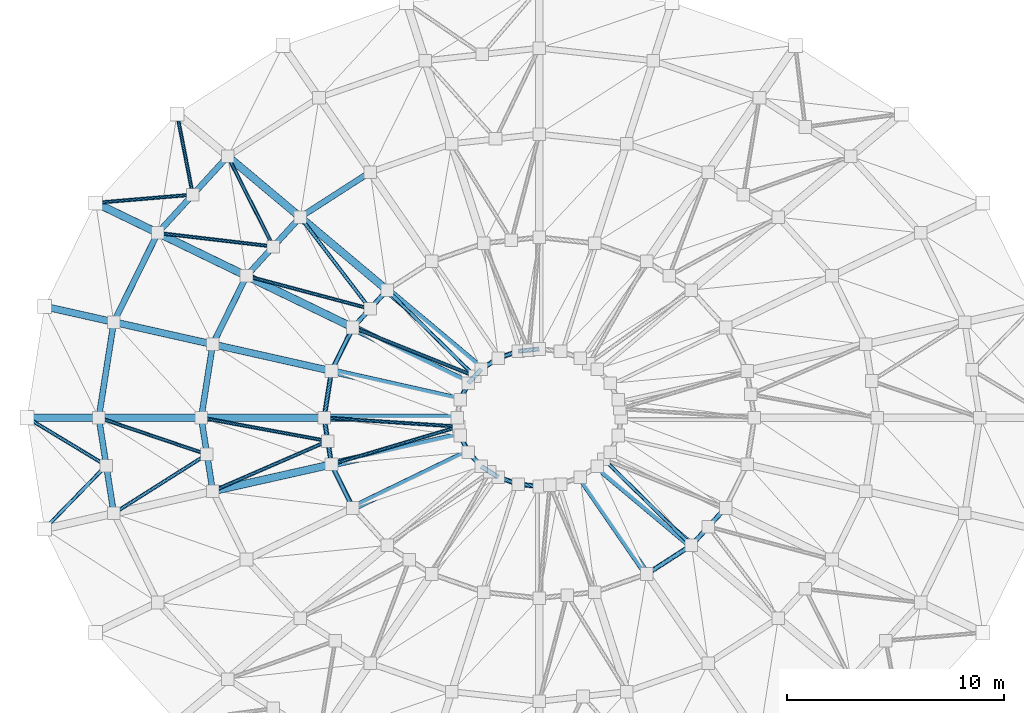
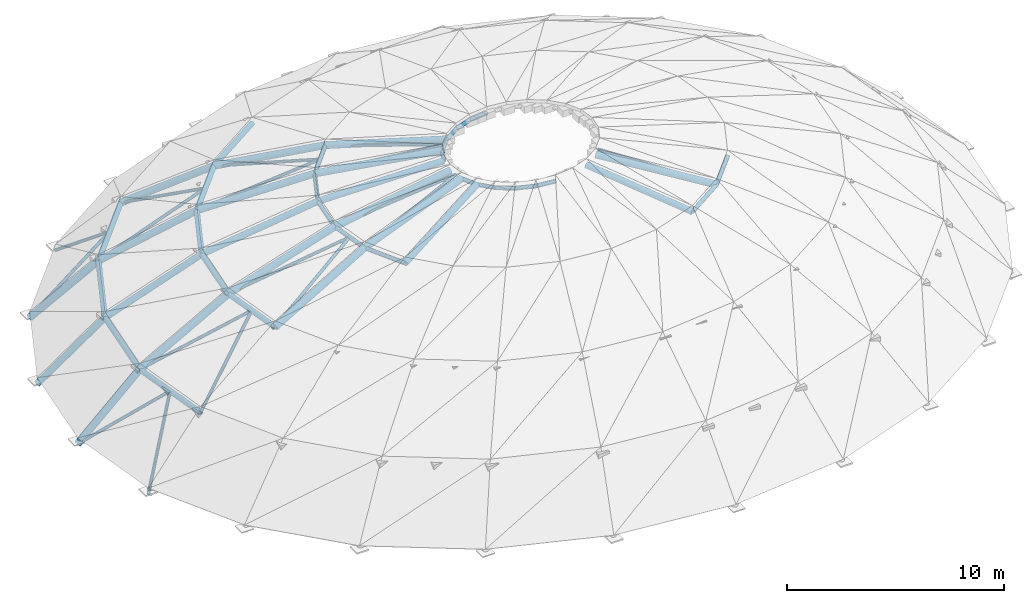
# One storey, part 2 of 11: 63 members.
"""IFC4 building model written with IfcOpenShell, lengths in metres."""

from ifc_helpers import new_model, si_unit, direction, frame, origin, origin_2d, place, context, subcontext, project, spatial, hollow_circle, extrude, material, material_profile, profile_set, type_object, element, save


model = new_model("IFC4")

# Units and contexts
model_context = context("Model", 3, precision=1e-05, world=origin(), true_north=direction((0.0, 1.0)))
body_context = subcontext(model_context, "Body", "Model", "MODEL_VIEW")
ifc_project = project(units=[si_unit("LENGTHUNIT", "METRE"), si_unit("AREAUNIT", "SQUARE_METRE"), si_unit("VOLUMEUNIT", "CUBIC_METRE"), si_unit("PLANEANGLEUNIT", "RADIAN"), si_unit("MASSUNIT", "GRAM", prefix="KILO")], contexts=[model_context])

# Site, building, storey
site_placement = place(None, origin())
site = spatial("IfcSite", under=ifc_project, at=site_placement, CompositionType="ELEMENT")
building_placement = place(site_placement, origin())
building = spatial("IfcBuilding", under=site, at=building_placement, Name="Parian Resonance Hall", CompositionType="ELEMENT")
storey_placement = place(building_placement, frame((0.0, 0.0, 27.60009765625)))
storey = spatial("IfcBuildingStorey", under=building, at=storey_placement, Name="ROOF", CompositionType="ELEMENT", Elevation=27.60009765625)

# Members
ifc_material_1 = material(Name="Hollow structural steel S355", Category="steel")
ifc_material_profile_1 = material_profile(ifc_material_1, hollow_circle(Radius=0.084228515625, WallThickness=0.008056640625, at=origin_2d()), Name="CHS168.3x8")
ifc_profile_set_1 = profile_set([ifc_material_profile_1], Name="Hollow structural steel S355")
member_type_1 = type_object("IfcMemberType", Name="MEM-CHS168", PredefinedType="BRACE", material=ifc_profile_set_1)
member_1_placement = place(storey_placement, frame((27.312255859375, 58.000732421875, -6.830078125), z_axis=(0.148865689703, -0.765975247523, 0.625396615446), x_axis=(0.98163313968, 0.190778350666, 0.0)))
element("IfcMember", 1, at=member_1_placement, inside=storey, type_object=member_type_1, Name="Dome sector K-brace 4.1A", PredefinedType="BRACE", context=body_context, shape_type="SweptSolid", body=[
    extrude(hollow_circle(Radius=0.084228515625, WallThickness=0.008056640625, at=origin_2d()), origin(), (0.0, 0.0, 1.0), 4.861083984375),
])
member_2_placement = place(storey_placement, frame((23.561767578125, 53.89990234375, -6.830078125), z_axis=(0.825123319631, 0.069608242505, 0.560648017901), x_axis=(-0.084062420526, 0.996460490664, 0.0)))
element("IfcMember", 2, at=member_2_placement, inside=storey, type_object=member_type_1, Name="Dome sector K-brace 4.1B", PredefinedType="BRACE", context=body_context, shape_type="SweptSolid", body=[
    extrude(hollow_circle(Radius=0.084228515625, WallThickness=0.008056640625, at=origin_2d()), origin(), (0.0, 0.0, 1.0), 5.42236328125),
])
member_3_placement = place(storey_placement, frame((29.648681640625, 56.04052734375, -3.7900390625), z_axis=(0.393862188213, -0.779114365799, 0.487702144451), x_axis=(0.89244600284, 0.451154221986, 0.0)))
element("IfcMember", 3, at=member_3_placement, inside=storey, type_object=member_type_1, Name="Dome sector K-brace 4.2A", PredefinedType="BRACE", context=body_context, shape_type="SweptSolid", body=[
    extrude(hollow_circle(Radius=0.084228515625, WallThickness=0.008056640625, at=origin_2d()), origin(), (0.0, 0.0, 1.0), 5.330810546875),
])
member_4_placement = place(storey_placement, frame((26.423095703125, 52.513916015625, -3.7900390625), z_axis=(0.893638751505, -0.10517012081, 0.436290072656), x_axis=(0.116880874378, 0.993145941544, 0.0)))
element("IfcMember", 4, at=member_4_placement, inside=storey, type_object=member_type_1, Name="Dome sector K-brace 4.2B", PredefinedType="BRACE", context=body_context, shape_type="SweptSolid", body=[
    extrude(hollow_circle(Radius=0.084228515625, WallThickness=0.008056640625, at=origin_2d()), origin(), (0.0, 0.0, 1.0), 5.958984375),
])
member_5_placement = place(storey_placement, frame((32.986083984375, 53.240478515625, -1.190185546875), z_axis=(0.574072177053, -0.753189317355, 0.321165047531), x_axis=(0.795322952575, 0.606185945983, 0.0)))
element("IfcMember", 5, at=member_5_placement, inside=storey, type_object=member_type_1, Name="Dome sector K-brace 4.3A", PredefinedType="BRACE", context=body_context, shape_type="SweptSolid", body=[
    extrude(hollow_circle(Radius=0.084228515625, WallThickness=0.008056640625, at=origin_2d()), origin(), (0.0, 0.0, 1.0), 5.604736328125),
])
member_6_placement = place(storey_placement, frame((30.5107421875, 50.533935546875, -1.190185546875), z_axis=(0.924188616424, -0.245929769488, 0.292222431979), x_axis=(0.257154463998, 0.966370312895, 0.0)))
element("IfcMember", 6, at=member_6_placement, inside=storey, type_object=member_type_1, Name="Dome sector K-brace 4.3B", PredefinedType="BRACE", context=body_context, shape_type="SweptSolid", body=[
    extrude(hollow_circle(Radius=0.084228515625, WallThickness=0.008056640625, at=origin_2d()), origin(), (0.0, 0.0, 1.0), 6.159912109375),
])
member_7_placement = place(storey_placement, frame((36.9912109375, 49.88037109375, 0.60986328125), z_axis=(0.702203558408, -0.689978033996, 0.175614564208), x_axis=(0.700870257906, 0.713288778534, 0.0)))
element("IfcMember", 7, at=member_7_placement, inside=storey, type_object=member_type_1, Name="Dome sector K-brace 4.4A", PredefinedType="BRACE", context=body_context, shape_type="SweptSolid", body=[
    extrude(hollow_circle(Radius=0.084228515625, WallThickness=0.008056640625, at=origin_2d()), origin(), (0.0, 0.0, 1.0), 5.751220703125),
])
member_8_placement = place(storey_placement, frame((35.416015625, 48.157958984375, 0.60986328125), z_axis=(0.915768326015, -0.366363087371, 0.164761831988), x_axis=(0.371439408198, 0.928457196664, 0.0)))
element("IfcMember", 8, at=member_8_placement, inside=storey, type_object=member_type_1, Name="Dome sector K-brace 4.4B", PredefinedType="BRACE", context=body_context, shape_type="SweptSolid", body=[
    extrude(hollow_circle(Radius=0.084228515625, WallThickness=0.008056640625, at=origin_2d()), origin(), (0.0, 0.0, 1.0), 6.130126953125),
])
member_9_placement = place(storey_placement, frame((20.39990234375, 44.0, -6.830078125), z_axis=(0.69702955498, -0.420828679816, 0.58056267683), x_axis=(0.516851679642, 0.856074962402, 0.0)))
element("IfcMember", 9, at=member_9_placement, inside=storey, type_object=member_type_1, Name="Dome sector K-brace 5.1A", PredefinedType="BRACE", context=body_context, shape_type="SweptSolid", body=[
    extrude(hollow_circle(Radius=0.084228515625, WallThickness=0.008056640625, at=origin_2d()), origin(), (0.0, 0.0, 1.0), 5.236328125),
])
member_10_placement = place(storey_placement, frame((21.2041015625, 38.87548828125, -6.830078125), z_axis=(0.559472429947, 0.574256018521, 0.597679366652), x_axis=(-0.716266416859, 0.697826927024, 0.0)))
element("IfcMember", 10, at=member_10_placement, inside=storey, type_object=member_type_1, Name="Dome sector K-brace 5.1B", PredefinedType="BRACE", context=body_context, shape_type="SweptSolid", body=[
    extrude(hollow_circle(Radius=0.084228515625, WallThickness=0.008056640625, at=origin_2d()), origin(), (0.0, 0.0, 1.0), 5.08642578125),
])
member_11_placement = place(storey_placement, frame((23.7041015625, 44.0, -3.7900390625), z_axis=(0.849083358563, -0.28804546867, 0.442817409537), x_axis=(0.321259953019, 0.94699104673, 0.0)))
element("IfcMember", 11, at=member_11_placement, inside=storey, type_object=member_type_1, Name="Dome sector K-brace 5.2A", PredefinedType="BRACE", context=body_context, shape_type="SweptSolid", body=[
    extrude(hollow_circle(Radius=0.084228515625, WallThickness=0.008056640625, at=origin_2d()), origin(), (0.0, 0.0, 1.0), 5.87109375),
])
member_12_placement = place(storey_placement, frame((24.3955078125, 39.5927734375, -3.7900390625), z_axis=(0.752330799086, 0.475901526118, 0.45553935745), x_axis=(-0.534591285861, 0.845110736579, 0.0)))
element("IfcMember", 12, at=member_12_placement, inside=storey, type_object=member_type_1, Name="Dome sector K-brace 5.2B", PredefinedType="BRACE", context=body_context, shape_type="SweptSolid", body=[
    extrude(hollow_circle(Radius=0.084228515625, WallThickness=0.008056640625, at=origin_2d()), origin(), (0.0, 0.0, 1.0), 5.707275390625),
])
member_13_placement = place(storey_placement, frame((28.424072265625, 44.0, -1.190185546875), z_axis=(0.941019856322, -0.173622515871, 0.290408078384), x_axis=(0.18144214738, 0.983401620476, 0.0)))
element("IfcMember", 13, at=member_13_placement, inside=storey, type_object=member_type_1, Name="Dome sector K-brace 5.3A", PredefinedType="BRACE", context=body_context, shape_type="SweptSolid", body=[
    extrude(hollow_circle(Radius=0.084228515625, WallThickness=0.008056640625, at=origin_2d()), origin(), (0.0, 0.0, 1.0), 6.1982421875),
])
member_14_placement = place(storey_placement, frame((28.95458984375, 40.617919921875, -1.190185546875), z_axis=(0.875582973539, 0.3807846572, 0.297249897039), x_axis=(-0.398811028745, 0.917033131, 0.0)))
element("IfcMember", 14, at=member_14_placement, inside=storey, type_object=member_type_1, Name="Dome sector K-brace 5.3B", PredefinedType="BRACE", context=body_context, shape_type="SweptSolid", body=[
    extrude(hollow_circle(Radius=0.084228515625, WallThickness=0.008056640625, at=origin_2d()), origin(), (0.0, 0.0, 1.0), 6.0556640625),
])
member_15_placement = place(storey_placement, frame((34.087890625, 44.0, 0.60986328125), z_axis=(0.984896799175, -0.065111695311, 0.160433045564), x_axis=(0.065966173276, 0.997821859844, 0.0)))
element("IfcMember", 15, at=member_15_placement, inside=storey, type_object=member_type_1, Name="Dome sector K-brace 5.4A", PredefinedType="BRACE", context=body_context, shape_type="SweptSolid", body=[
    extrude(hollow_circle(Radius=0.084228515625, WallThickness=0.008056640625, at=origin_2d()), origin(), (0.0, 0.0, 1.0), 6.29541015625),
])
member_16_placement = place(storey_placement, frame((34.42578125, 41.84765625, 0.60986328125), z_axis=(0.945748733242, 0.281089772588, 0.162935181336), x_axis=(-0.284896914022, 0.958558161188, 0.0)))
element("IfcMember", 16, at=member_16_placement, inside=storey, type_object=member_type_1, Name="Dome sector K-brace 5.4B", PredefinedType="BRACE", context=body_context, shape_type="SweptSolid", body=[
    extrude(hollow_circle(Radius=0.084228515625, WallThickness=0.008056640625, at=origin_2d()), origin(), (0.0, 0.0, 1.0), 6.19873046875),
])
member_17_placement = place(storey_placement, frame((51.0087890625, 38.11962890625, 0.60986328125), z_axis=(-0.702203558408, 0.689978033996, 0.175614564208), x_axis=(-0.700870257906, -0.713288778534, 0.0)))
element("IfcMember", 17, at=member_17_placement, inside=storey, type_object=member_type_1, Name="Dome sector K-brace 8.4A", PredefinedType="BRACE", context=body_context, shape_type="SweptSolid", body=[
    extrude(hollow_circle(Radius=0.084228515625, WallThickness=0.008056640625, at=origin_2d()), origin(), (0.0, 0.0, 1.0), 5.751220703125),
])
ifc_material_2 = material(Name="Hollow structural steel S355", Category="steel")
ifc_material_profile_2 = material_profile(ifc_material_2, hollow_circle(Radius=0.109619140625, WallThickness=0.010009765625, at=origin_2d()), Name="CHS219.1x10")
ifc_profile_set_2 = profile_set([ifc_material_profile_2], Name="Hollow structural steel S355")
member_type_2 = type_object("IfcMemberType", Name="MEM-CHS219", PredefinedType="CHORD", material=ifc_profile_set_2)
member_18_placement = place(storey_placement, frame((36.9912109375, 49.88037109375, 0.60986328125), z_axis=(-0.674866861926, -0.737939508817, 0.0), x_axis=(0.737939508817, -0.674866861926, 0.0)))
element("IfcMember", 18, at=member_18_placement, inside=storey, type_object=member_type_2, Name="Dome tubular hoop ring J3-10", PredefinedType="CHORD", context=body_context, shape_type="SweptSolid", body=[
    extrude(hollow_circle(Radius=0.109619140625, WallThickness=0.010009765625, at=origin_2d()), origin(), (0.0, 0.0, 1.0), 2.333984375),
])
member_19_placement = place(storey_placement, frame((35.416015625, 48.157958984375, 0.60986328125), z_axis=(-0.442710977497, -0.896664368871, 0.0), x_axis=(0.896664368871, -0.442710977497, 0.0)))
element("IfcMember", 19, at=member_19_placement, inside=storey, type_object=member_type_2, Name="Dome tubular hoop ring J3-11", PredefinedType="CHORD", context=body_context, shape_type="SweptSolid", body=[
    extrude(hollow_circle(Radius=0.109619140625, WallThickness=0.010009765625, at=origin_2d()), origin(), (0.0, 0.0, 1.0), 2.23681640625),
])
for number, where, z_axis, x_axis, name in (
    (20, (34.42578125, 46.15234375, 0.60986328125), (-0.155087856552, -0.987900681622, 0.0), (0.987900681622, -0.155087856552, 0.0), "Dome tubular hoop ring J3-12"),
    (21, (34.087890625, 44.0, 0.60986328125), (0.155087856552, -0.987900681622, 0.0), (0.987900681622, 0.155087856552, 0.0), "Dome tubular hoop ring J3-13"),
):
    element("IfcMember", number, at=place(storey_placement, frame(where, z_axis=z_axis, x_axis=x_axis)), inside=storey, type_object=member_type_2, Name=name, PredefinedType="CHORD", context=body_context, shape_type="SweptSolid", body=[
        extrude(hollow_circle(Radius=0.109619140625, WallThickness=0.010009765625, at=origin_2d()), origin(), (0.0, 0.0, 1.0), 2.1787109375),
    ])
member_20_placement = place(storey_placement, frame((34.42578125, 41.84765625, 0.60986328125), z_axis=(0.442710977497, -0.896664368871, 0.0), x_axis=(0.896664368871, 0.442710977497, 0.0)))
element("IfcMember", 22, at=member_20_placement, inside=storey, type_object=member_type_2, Name="Dome tubular hoop ring J3-14", PredefinedType="CHORD", context=body_context, shape_type="SweptSolid", body=[
    extrude(hollow_circle(Radius=0.109619140625, WallThickness=0.010009765625, at=origin_2d()), origin(), (0.0, 0.0, 1.0), 2.23681640625),
])
member_21_placement = place(storey_placement, frame((48.9560546875, 36.798095703125, 0.60986328125), z_axis=(0.840820882046, 0.541313443686, 0.0), x_axis=(-0.541313443686, 0.840820882046, 0.0)))
element("IfcMember", 23, at=member_21_placement, inside=storey, type_object=member_type_2, Name="Dome tubular hoop ring J3-21", PredefinedType="CHORD", context=body_context, shape_type="SweptSolid", body=[
    extrude(hollow_circle(Radius=0.109619140625, WallThickness=0.010009765625, at=origin_2d()), origin(), (0.0, 0.0, 1.0), 2.44140625),
])
member_22_placement = place(storey_placement, frame((51.0087890625, 38.11962890625, 0.60986328125), z_axis=(0.674866861926, 0.737939508817, 0.0), x_axis=(-0.737939508817, 0.674866861926, 0.0)))
element("IfcMember", 24, at=member_22_placement, inside=storey, type_object=member_type_2, Name="Dome tubular hoop ring J3-22", PredefinedType="CHORD", context=body_context, shape_type="SweptSolid", body=[
    extrude(hollow_circle(Radius=0.109619140625, WallThickness=0.010009765625, at=origin_2d()), origin(), (0.0, 0.0, 1.0), 2.333984375),
])
member_23_placement = place(storey_placement, frame((44.0, 47.16796875, 1.619873046875), z_axis=(-0.993959203455, -0.109750179347, 0.0), x_axis=(0.109750179347, -0.993959203455, 0.0)))
element("IfcMember", 25, at=member_23_placement, inside=storey, type_object=member_type_2, Name="Dome tubular hoop ring J4-07", PredefinedType="CHORD", context=body_context, shape_type="SweptSolid", body=[
    extrude(hollow_circle(Radius=0.109619140625, WallThickness=0.010009765625, at=origin_2d()), origin(), (0.0, 0.0, 1.0), 0.983154296875),
])
member_24_placement = place(storey_placement, frame((43.022705078125, 47.06005859375, 1.619873046875), z_axis=(-0.944606071341, -0.328206291812, 0.0), x_axis=(0.328206291812, -0.944606071341, 0.0)))
element("IfcMember", 26, at=member_24_placement, inside=storey, type_object=member_type_2, Name="Dome tubular hoop ring J4-08", PredefinedType="CHORD", context=body_context, shape_type="SweptSolid", body=[
    extrude(hollow_circle(Radius=0.109619140625, WallThickness=0.010009765625, at=origin_2d()), origin(), (0.0, 0.0, 1.0), 0.964111328125),
])
member_25_placement = place(storey_placement, frame((42.112060546875, 46.74365234375, 1.619873046875), z_axis=(-0.840709114229, -0.541487013005, 0.0), x_axis=(0.541487013005, -0.840709114229, 0.0)))
element("IfcMember", 27, at=member_25_placement, inside=storey, type_object=member_type_2, Name="Dome tubular hoop ring J4-09", PredefinedType="CHORD", context=body_context, shape_type="SweptSolid", body=[
    extrude(hollow_circle(Radius=0.109619140625, WallThickness=0.010009765625, at=origin_2d()), origin(), (0.0, 0.0, 1.0), 0.93017578125),
])
member_26_placement = place(storey_placement, frame((41.330078125, 46.239990234375, 1.619873046875), z_axis=(-0.674965754228, -0.737849056799, 0.0), x_axis=(0.737849056799, -0.674965754228, 0.0)))
element("IfcMember", 28, at=member_26_placement, inside=storey, type_object=member_type_2, Name="Dome tubular hoop ring J4-10", PredefinedType="CHORD", context=body_context, shape_type="SweptSolid", body=[
    extrude(hollow_circle(Radius=0.109619140625, WallThickness=0.010009765625, at=origin_2d()), origin(), (0.0, 0.0, 1.0), 0.88916015625),
])
for number, where, z_axis, x_axis, name in (
    (29, (40.72998046875, 45.583984375, 1.619873046875), (-0.442623915092, -0.896707349021, 0.0), (0.896707349021, -0.442623915092, 0.0), "Dome tubular hoop ring J4-11"),
    (30, (40.352783203125, 43.18017578125, 1.619873046875), (0.442623915092, -0.896707349021, 0.0), (0.896707349021, 0.442623915092, 0.0), "Dome tubular hoop ring J4-14"),
):
    element("IfcMember", number, at=place(storey_placement, frame(where, z_axis=z_axis, x_axis=x_axis)), inside=storey, type_object=member_type_2, Name=name, PredefinedType="CHORD", context=body_context, shape_type="SweptSolid", body=[
        extrude(hollow_circle(Radius=0.109619140625, WallThickness=0.010009765625, at=origin_2d()), origin(), (0.0, 0.0, 1.0), 0.852294921875),
    ])
member_27_placement = place(storey_placement, frame((40.72998046875, 42.416015625, 1.619873046875), z_axis=(0.674965754228, -0.737849056799, 0.0), x_axis=(0.737849056799, 0.674965754228, 0.0)))
element("IfcMember", 31, at=member_27_placement, inside=storey, type_object=member_type_2, Name="Dome tubular hoop ring J4-15", PredefinedType="CHORD", context=body_context, shape_type="SweptSolid", body=[
    extrude(hollow_circle(Radius=0.109619140625, WallThickness=0.010009765625, at=origin_2d()), origin(), (0.0, 0.0, 1.0), 0.88916015625),
])
member_28_placement = place(storey_placement, frame((41.330078125, 41.760009765625, 1.619873046875), z_axis=(0.840709114229, -0.541487013005, 0.0), x_axis=(0.541487013005, 0.840709114229, 0.0)))
element("IfcMember", 32, at=member_28_placement, inside=storey, type_object=member_type_2, Name="Dome tubular hoop ring J4-16", PredefinedType="CHORD", context=body_context, shape_type="SweptSolid", body=[
    extrude(hollow_circle(Radius=0.109619140625, WallThickness=0.010009765625, at=origin_2d()), origin(), (0.0, 0.0, 1.0), 0.93017578125),
])
member_29_placement = place(storey_placement, frame((42.112060546875, 41.25634765625, 1.619873046875), z_axis=(0.944606071341, -0.328206291812, 0.0), x_axis=(0.328206291812, 0.944606071341, 0.0)))
element("IfcMember", 33, at=member_29_placement, inside=storey, type_object=member_type_2, Name="Dome tubular hoop ring J4-17", PredefinedType="CHORD", context=body_context, shape_type="SweptSolid", body=[
    extrude(hollow_circle(Radius=0.109619140625, WallThickness=0.010009765625, at=origin_2d()), origin(), (0.0, 0.0, 1.0), 0.964111328125),
])
member_30_placement = place(storey_placement, frame((43.022705078125, 40.93994140625, 1.619873046875), z_axis=(0.993959203455, -0.109750179347, 0.0), x_axis=(0.109750179347, 0.993959203455, 0.0)))
element("IfcMember", 34, at=member_30_placement, inside=storey, type_object=member_type_2, Name="Dome tubular hoop ring J4-18", PredefinedType="CHORD", context=body_context, shape_type="SweptSolid", body=[
    extrude(hollow_circle(Radius=0.109619140625, WallThickness=0.010009765625, at=origin_2d()), origin(), (0.0, 0.0, 1.0), 0.983154296875),
])
ifc_material_3 = material(Name="Hollow structural steel S355", Category="steel")
ifc_material_profile_3 = material_profile(ifc_material_3, hollow_circle(Radius=0.136474609375, WallThickness=0.012451171875, at=origin_2d()), Name="CHS273x12.5")
ifc_profile_set_3 = profile_set([ifc_material_profile_3], Name="Hollow structural steel S355")
member_type_3 = type_object("IfcMemberType", Name="MEM-CHS273", PredefinedType="CHORD", material=ifc_profile_set_3)
member_31_placement = place(storey_placement, frame((29.648681640625, 56.04052734375, -3.7900390625), z_axis=(-0.674912283642, -0.737897966788, 0.0), x_axis=(0.737897966788, -0.674912283642, 0.0)))
element("IfcMember", 35, at=member_31_placement, inside=storey, type_object=member_type_3, Name="Dome tubular hoop ring J1-10", PredefinedType="CHORD", context=body_context, shape_type="SweptSolid", body=[
    extrude(hollow_circle(Radius=0.136474609375, WallThickness=0.012451171875, at=origin_2d()), origin(), (0.0, 0.0, 1.0), 4.779296875),
])
member_32_placement = place(storey_placement, frame((26.423095703125, 52.513916015625, -3.7900390625), z_axis=(-0.442708885431, -0.896665401786, 0.0), x_axis=(0.896665401786, -0.442708885431, 0.0)))
element("IfcMember", 36, at=member_32_placement, inside=storey, type_object=member_type_3, Name="Dome tubular hoop ring J1-11", PredefinedType="CHORD", context=body_context, shape_type="SweptSolid", body=[
    extrude(hollow_circle(Radius=0.136474609375, WallThickness=0.012451171875, at=origin_2d()), origin(), (0.0, 0.0, 1.0), 4.580078125),
])
for number, where, z_axis, x_axis, name in (
    (37, (24.3955078125, 48.4072265625, -3.7900390625), (-0.154984525505, -0.987916897747, 0.0), (0.987916897747, -0.154984525505, 0.0), "Dome tubular hoop ring J1-12"),
    (38, (23.7041015625, 44.0, -3.7900390625), (0.154984525505, -0.987916897747, 0.0), (0.987916897747, 0.154984525505, 0.0), "Dome tubular hoop ring J1-13"),
):
    element("IfcMember", number, at=place(storey_placement, frame(where, z_axis=z_axis, x_axis=x_axis)), inside=storey, type_object=member_type_3, Name=name, PredefinedType="CHORD", context=body_context, shape_type="SweptSolid", body=[
        extrude(hollow_circle(Radius=0.136474609375, WallThickness=0.012451171875, at=origin_2d()), origin(), (0.0, 0.0, 1.0), 4.461181640625),
    ])
member_33_placement = place(storey_placement, frame((36.2119140625, 55.317138671875, -1.190185546875), z_axis=(-0.840833011085, -0.541294603216, 0.0), x_axis=(0.541294603216, -0.840833011085, 0.0)))
element("IfcMember", 39, at=member_33_placement, inside=storey, type_object=member_type_3, Name="Dome tubular hoop ring J2-09", PredefinedType="CHORD", context=body_context, shape_type="SweptSolid", body=[
    extrude(hollow_circle(Radius=0.136474609375, WallThickness=0.012451171875, at=origin_2d()), origin(), (0.0, 0.0, 1.0), 3.83642578125),
])
member_34_placement = place(storey_placement, frame((32.986083984375, 53.240478515625, -1.190185546875), z_axis=(-0.674886246736, -0.737921780385, 0.0), x_axis=(0.737921780385, -0.674886246736, 0.0)))
element("IfcMember", 40, at=member_34_placement, inside=storey, type_object=member_type_3, Name="Dome tubular hoop ring J2-10", PredefinedType="CHORD", context=body_context, shape_type="SweptSolid", body=[
    extrude(hollow_circle(Radius=0.136474609375, WallThickness=0.012451171875, at=origin_2d()), origin(), (0.0, 0.0, 1.0), 3.667724609375),
])
member_35_placement = place(storey_placement, frame((30.5107421875, 50.533935546875, -1.190185546875), z_axis=(-0.442707238803, -0.896666214771, 0.0), x_axis=(0.896666214771, -0.442707238803, 0.0)))
element("IfcMember", 41, at=member_35_placement, inside=storey, type_object=member_type_3, Name="Dome tubular hoop ring J2-11", PredefinedType="CHORD", context=body_context, shape_type="SweptSolid", body=[
    extrude(hollow_circle(Radius=0.136474609375, WallThickness=0.012451171875, at=origin_2d()), origin(), (0.0, 0.0, 1.0), 3.51513671875),
])
for number, where, z_axis, x_axis, name in (
    (42, (28.95458984375, 47.382080078125, -1.190185546875), (-0.154966404102, -0.987919740465, 0.0), (0.987919740465, -0.154966404102, 0.0), "Dome tubular hoop ring J2-12"),
    (43, (28.424072265625, 44.0, -1.190185546875), (0.154966404102, -0.987919740465, 0.0), (0.987919740465, 0.154966404102, 0.0), "Dome tubular hoop ring J2-13"),
):
    element("IfcMember", number, at=place(storey_placement, frame(where, z_axis=z_axis, x_axis=x_axis)), inside=storey, type_object=member_type_3, Name=name, PredefinedType="CHORD", context=body_context, shape_type="SweptSolid", body=[
        extrude(hollow_circle(Radius=0.136474609375, WallThickness=0.012451171875, at=origin_2d()), origin(), (0.0, 0.0, 1.0), 3.42333984375),
    ])
ifc_material_4 = material(Name="Hollow structural steel S355", Category="steel")
ifc_material_profile_4 = material_profile(ifc_material_4, hollow_circle(Radius=0.161865234375, WallThickness=0.01416015625, at=origin_2d()), Name="CHS323.9x14.2")
ifc_profile_set_4 = profile_set([ifc_material_profile_4], Name="Hollow structural steel S355")
member_type_4 = type_object("IfcMemberType", Name="MEM-CHS323", PredefinedType="CHORD", material=ifc_profile_set_4)
member_36_placement = place(storey_placement, frame((21.2041015625, 49.12451171875, -6.830078125), z_axis=(0.714667720848, -0.160625287932, 0.68077130202), x_axis=(0.219284857934, 0.975660879138, 0.0)))
element("IfcMember", 44, at=member_36_placement, inside=storey, type_object=member_type_4, Name="Dome meridional arch rib 12.1", PredefinedType="CHORD", context=body_context, shape_type="SweptSolid", body=[
    extrude(hollow_circle(Radius=0.161865234375, WallThickness=0.01416015625, at=origin_2d()), origin(), (0.0, 0.0, 1.0), 4.465576171875),
])
member_37_placement = place(storey_placement, frame((24.3955078125, 48.4072265625, -3.7900390625), z_axis=(0.852568680969, -0.191706966445, 0.486184207114), x_axis=(0.219380412933, 0.975639397739, 0.0)))
element("IfcMember", 45, at=member_37_placement, inside=storey, type_object=member_type_4, Name="Dome meridional arch rib 12.2", PredefinedType="CHORD", context=body_context, shape_type="SweptSolid", body=[
    extrude(hollow_circle(Radius=0.161865234375, WallThickness=0.01416015625, at=origin_2d()), origin(), (0.0, 0.0, 1.0), 5.347412109375),
])
member_38_placement = place(storey_placement, frame((28.95458984375, 47.382080078125, -1.190185546875), z_axis=(0.928971795399, -0.208801023357, 0.305636280566), x_axis=(0.219294635385, 0.975658681554, 0.0)))
element("IfcMember", 46, at=member_38_placement, inside=storey, type_object=member_type_4, Name="Dome meridional arch rib 12.3", PredefinedType="CHORD", context=body_context, shape_type="SweptSolid", body=[
    extrude(hollow_circle(Radius=0.161865234375, WallThickness=0.01416015625, at=origin_2d()), origin(), (0.0, 0.0, 1.0), 5.889404296875),
])
member_39_placement = place(storey_placement, frame((34.42578125, 46.15234375, 0.60986328125), z_axis=(0.962435904881, -0.216376618562, 0.164006975264), x_axis=(0.219346753665, 0.975646965688, 0.0)))
element("IfcMember", 47, at=member_39_placement, inside=storey, type_object=member_type_4, Name="Dome meridional arch rib 12.4", PredefinedType="CHORD", context=body_context, shape_type="SweptSolid", body=[
    extrude(hollow_circle(Radius=0.161865234375, WallThickness=0.01416015625, at=origin_2d()), origin(), (0.0, 0.0, 1.0), 6.158447265625),
])
member_40_placement = place(storey_placement, frame((35.416015625, 39.842041015625, 0.60986328125), z_axis=(0.887095027096, 0.429690474624, 0.168607558904), x_axis=(-0.435931593455, 0.899979803011, 0.0)))
element("IfcMember", 48, at=member_40_placement, inside=storey, type_object=member_type_4, Name="Dome meridional arch rib 15.4", PredefinedType="CHORD", context=body_context, shape_type="SweptSolid", body=[
    extrude(hollow_circle(Radius=0.161865234375, WallThickness=0.01416015625, at=origin_2d()), origin(), (0.0, 0.0, 1.0), 5.990234375),
])
member_41_placement = place(storey_placement, frame((48.9560546875, 36.798095703125, 0.60986328125), z_axis=(-0.557291678695, 0.809795762287, 0.183457919532), x_axis=(-0.823777269192, -0.566913583152, 0.0)))
element("IfcMember", 49, at=member_41_placement, inside=storey, type_object=member_type_4, Name="Dome meridional arch rib 21.4", PredefinedType="CHORD", context=body_context, shape_type="SweptSolid", body=[
    extrude(hollow_circle(Radius=0.161865234375, WallThickness=0.01416015625, at=origin_2d()), origin(), (0.0, 0.0, 1.0), 5.50537109375),
])
ifc_material_5 = material(Name="Hollow structural steel S355", Category="steel")
ifc_material_profile_5 = material_profile(ifc_material_5, hollow_circle(Radius=0.177734375, WallThickness=0.01611328125, at=origin_2d()), Name="CHS355.6x16")
ifc_profile_set_5 = profile_set([ifc_material_profile_5], Name="Hollow structural steel S355")
member_type_5 = type_object("IfcMemberType", Name="MEM-CHS355", PredefinedType="CHORD", material=ifc_profile_set_5)
member_42_placement = place(storey_placement, frame((29.648681640625, 56.04052734375, -3.7900390625), z_axis=(0.657844338312, -0.551925143826, 0.51246410817), x_axis=(0.64273854319, 0.76608561212, 0.0)))
element("IfcMember", 50, at=member_42_placement, inside=storey, type_object=member_type_5, Name="Dome meridional arch rib 10.2", PredefinedType="CHORD", context=body_context, shape_type="SweptSolid", body=[
    extrude(hollow_circle(Radius=0.177734375, WallThickness=0.01611328125, at=origin_2d()), origin(), (0.0, 0.0, 1.0), 5.0732421875),
])
member_43_placement = place(storey_placement, frame((32.986083984375, 53.240478515625, -1.190185546875), z_axis=(0.724365289825, -0.607707374817, 0.325555945253), x_axis=(0.642721030108, 0.766100305088, 0.0)))
element("IfcMember", 51, at=member_43_placement, inside=storey, type_object=member_type_5, Name="Dome meridional arch rib 10.3", PredefinedType="CHORD", context=body_context, shape_type="SweptSolid", body=[
    extrude(hollow_circle(Radius=0.177734375, WallThickness=0.01611328125, at=origin_2d()), origin(), (0.0, 0.0, 1.0), 5.529052734375),
])
member_44_placement = place(storey_placement, frame((36.9912109375, 49.88037109375, 0.60986328125), z_axis=(0.75417784185, -0.63276760071, 0.17555895407), x_axis=(0.642750205838, 0.766075827118, 0.0)))
element("IfcMember", 52, at=member_44_placement, inside=storey, type_object=member_type_5, Name="Dome meridional arch rib 10.4", PredefinedType="CHORD", context=body_context, shape_type="SweptSolid", body=[
    extrude(hollow_circle(Radius=0.177734375, WallThickness=0.01611328125, at=origin_2d()), origin(), (0.0, 0.0, 1.0), 5.753173828125),
])
member_45_placement = place(storey_placement, frame((23.561767578125, 53.89990234375, -6.830078125), z_axis=(0.650469958317, -0.315078323666, 0.691096580286), x_axis=(0.435936228365, 0.899977557942, 0.0)))
element("IfcMember", 53, at=member_45_placement, inside=storey, type_object=member_type_5, Name="Dome meridional arch rib 11.1", PredefinedType="CHORD", context=body_context, shape_type="SweptSolid", body=[
    extrude(hollow_circle(Radius=0.177734375, WallThickness=0.01611328125, at=origin_2d()), origin(), (0.0, 0.0, 1.0), 4.39892578125),
])
member_46_placement = place(storey_placement, frame((26.423095703125, 52.513916015625, -3.7900390625), z_axis=(0.781069863366, -0.37833581747, 0.496781519141), x_axis=(0.435933215664, 0.899979017245, 0.0)))
element("IfcMember", 54, at=member_46_placement, inside=storey, type_object=member_type_5, Name="Dome meridional arch rib 11.2", PredefinedType="CHORD", context=body_context, shape_type="SweptSolid", body=[
    extrude(hollow_circle(Radius=0.177734375, WallThickness=0.01611328125, at=origin_2d()), origin(), (0.0, 0.0, 1.0), 5.2333984375),
])
member_47_placement = place(storey_placement, frame((30.5107421875, 50.533935546875, -1.190185546875), z_axis=(0.854583117069, -0.413936038986, 0.313599508369), x_axis=(0.43592618617, 0.899982422168, 0.0)))
element("IfcMember", 55, at=member_47_placement, inside=storey, type_object=member_type_5, Name="Dome meridional arch rib 11.3", PredefinedType="CHORD", context=body_context, shape_type="SweptSolid", body=[
    extrude(hollow_circle(Radius=0.177734375, WallThickness=0.01611328125, at=origin_2d()), origin(), (0.0, 0.0, 1.0), 5.739990234375),
])
member_48_placement = place(storey_placement, frame((35.416015625, 48.157958984375, 0.60986328125), z_axis=(0.887095027096, -0.429690474624, 0.168607558904), x_axis=(0.435931593455, 0.899979803011, 0.0)))
element("IfcMember", 56, at=member_48_placement, inside=storey, type_object=member_type_5, Name="Dome meridional arch rib 11.4", PredefinedType="CHORD", context=body_context, shape_type="SweptSolid", body=[
    extrude(hollow_circle(Radius=0.177734375, WallThickness=0.01611328125, at=origin_2d()), origin(), (0.0, 0.0, 1.0), 5.990234375),
])
member_49_placement = place(storey_placement, frame((20.39990234375, 44.0, -6.830078125), z_axis=(0.735911504301, 0.0, 0.67707773397), x_axis=(0.0, 1.0, 0.0)))
element("IfcMember", 57, at=member_49_placement, inside=storey, type_object=member_type_5, Name="Dome meridional arch rib 13.1", PredefinedType="CHORD", context=body_context, shape_type="SweptSolid", body=[
    extrude(hollow_circle(Radius=0.177734375, WallThickness=0.01611328125, at=origin_2d()), origin(), (0.0, 0.0, 1.0), 4.489990234375),
])
member_50_placement = place(storey_placement, frame((23.7041015625, 44.0, -3.7900390625), z_axis=(0.875912502756, 0.0, 0.48246998613), x_axis=(0.0, 1.0, 0.0)))
element("IfcMember", 58, at=member_50_placement, inside=storey, type_object=member_type_5, Name="Dome meridional arch rib 13.2", PredefinedType="CHORD", context=body_context, shape_type="SweptSolid", body=[
    extrude(hollow_circle(Radius=0.177734375, WallThickness=0.01611328125, at=origin_2d()), origin(), (0.0, 0.0, 1.0), 5.388671875),
])
member_51_placement = place(storey_placement, frame((28.424072265625, 44.0, -1.190185546875), z_axis=(0.953026617278, 0.0, 0.302886557575), x_axis=(0.0, 1.0, 0.0)))
element("IfcMember", 59, at=member_51_placement, inside=storey, type_object=member_type_5, Name="Dome meridional arch rib 13.3", PredefinedType="CHORD", context=body_context, shape_type="SweptSolid", body=[
    extrude(hollow_circle(Radius=0.177734375, WallThickness=0.01611328125, at=origin_2d()), origin(), (0.0, 0.0, 1.0), 5.94287109375),
])
member_52_placement = place(storey_placement, frame((34.087890625, 44.0, 0.60986328125), z_axis=(0.986722968582, 0.0, 0.16241238645), x_axis=(0.0, 1.0, 0.0)))
element("IfcMember", 60, at=member_52_placement, inside=storey, type_object=member_type_5, Name="Dome meridional arch rib 13.4", PredefinedType="CHORD", context=body_context, shape_type="SweptSolid", body=[
    extrude(hollow_circle(Radius=0.177734375, WallThickness=0.01611328125, at=origin_2d()), origin(), (0.0, 0.0, 1.0), 6.21875),
])
member_53_placement = place(storey_placement, frame((28.95458984375, 40.617919921875, -1.190185546875), z_axis=(0.928971795399, 0.208801023357, 0.305636280566), x_axis=(-0.219294635385, 0.975658681554, 0.0)))
element("IfcMember", 61, at=member_53_placement, inside=storey, type_object=member_type_5, Name="Dome meridional arch rib 14.3", PredefinedType="CHORD", context=body_context, shape_type="SweptSolid", body=[
    extrude(hollow_circle(Radius=0.177734375, WallThickness=0.01611328125, at=origin_2d()), origin(), (0.0, 0.0, 1.0), 5.889404296875),
])
member_54_placement = place(storey_placement, frame((34.42578125, 41.84765625, 0.60986328125), z_axis=(0.962435904881, 0.216376618562, 0.164006975264), x_axis=(-0.219346753665, 0.975646965688, 0.0)))
element("IfcMember", 62, at=member_54_placement, inside=storey, type_object=member_type_5, Name="Dome meridional arch rib 14.4", PredefinedType="CHORD", context=body_context, shape_type="SweptSolid", body=[
    extrude(hollow_circle(Radius=0.177734375, WallThickness=0.01611328125, at=origin_2d()), origin(), (0.0, 0.0, 1.0), 6.158447265625),
])
member_55_placement = place(storey_placement, frame((51.0087890625, 38.11962890625, 0.60986328125), z_axis=(-0.75417784185, 0.63276760071, 0.17555895407), x_axis=(-0.642750205838, -0.766075827118, 0.0)))
element("IfcMember", 63, at=member_55_placement, inside=storey, type_object=member_type_5, Name="Dome meridional arch rib 22.4", PredefinedType="CHORD", context=body_context, shape_type="SweptSolid", body=[
    extrude(hollow_circle(Radius=0.177734375, WallThickness=0.01611328125, at=origin_2d()), origin(), (0.0, 0.0, 1.0), 5.753173828125),
])

save(model, "model.ifc")
